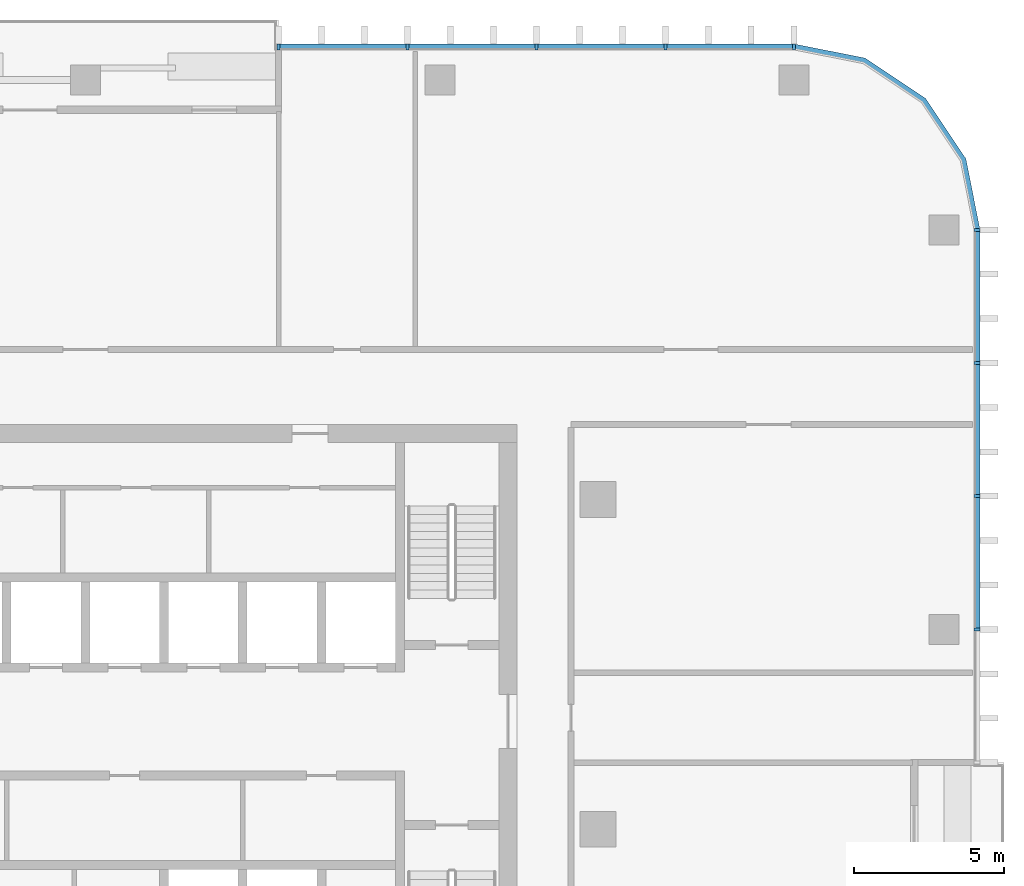
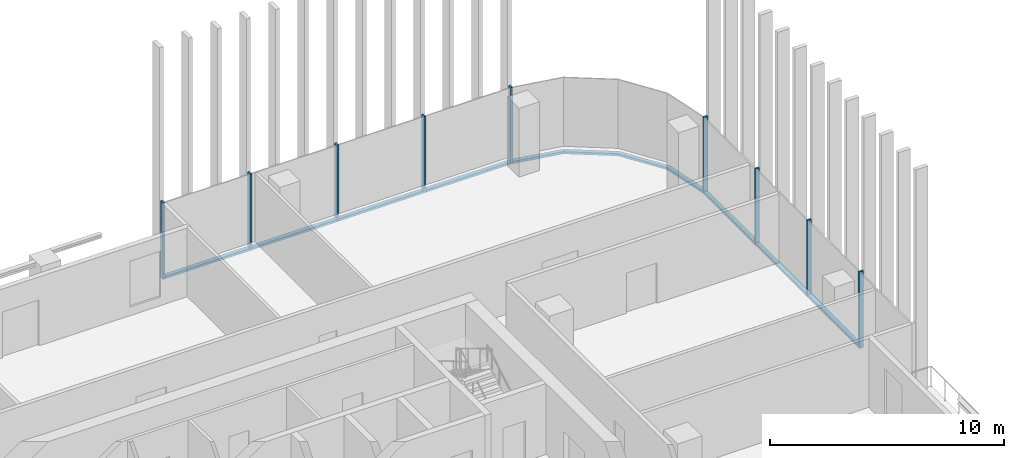
# One storey, part 5 of 16: 17 members, 3 elements without a shape of their own.
"""IFC4 building model written with IfcOpenShell, lengths in metres."""

from ifc_helpers import new_model, si_unit, direction, frame, origin, origin_2d, place, context, subcontext, project, spatial, polyline, rectangle, outline, extrude, material, material_profile, profile_set, type_object, element, aggregate, save


model = new_model("IFC4")

# Units and contexts
model_context = context("Model", 3, precision=1e-05, world=origin(), true_north=direction((0.0, 1.0)))
body_context = subcontext(model_context, "Body", "Model", "MODEL_VIEW")
ifc_project = project(units=[si_unit("LENGTHUNIT", "METRE"), si_unit("AREAUNIT", "SQUARE_METRE"), si_unit("VOLUMEUNIT", "CUBIC_METRE"), si_unit("PLANEANGLEUNIT", "RADIAN"), si_unit("MASSUNIT", "GRAM", prefix="KILO")], contexts=[model_context])

# Site, building, storey
site_placement = place(None, origin())
site = spatial("IfcSite", under=ifc_project, at=site_placement, CompositionType="ELEMENT")
building_placement = place(site_placement, origin())
building = spatial("IfcBuilding", under=site, at=building_placement, Name="Mopane Tessera Tower", CompositionType="ELEMENT")
storey_placement = place(building_placement, frame((0.0, 0.0, 279.39990234375)))
storey = spatial("IfcBuildingStorey", under=building, at=storey_placement, Name="L60", CompositionType="ELEMENT", Elevation=279.39990234375)

# Curtain wall, members
ifc_material_1 = material(Name="Aluminium frame", Category="aluminium")
curtain_wall_type = type_object("IfcCurtainWallType", Name="Unitised curtain wall", PredefinedType="NOTDEFINED", material=ifc_material_1)
curtain_wall_1_placement = place(storey_placement, origin())
curtain_wall_1 = element("IfcCurtainWall", 1, at=curtain_wall_1_placement, inside=storey, type_object=curtain_wall_type, Name="e:cw:L60:E:5", PredefinedType="NOTDEFINED")
ifc_material_2 = material(Name="Aluminium frame", Category="aluminium")
ifc_material_profile_1 = material_profile(ifc_material_2, rectangle(XDim=0.10009765625, YDim=0.199951171875, at=origin_2d()))
ifc_profile_set_1 = profile_set([ifc_material_profile_1], Name="Aluminium frame")
member_type_1 = type_object("IfcMemberType", Name="Aluminium mullion 100 x 200", PredefinedType="MULLION", material=ifc_profile_set_1)
member_1_placement = place(storey_placement, frame((29.75, 6.666748046875, -0.39990234375), z_axis=(0.0, 0.0, 1.0), x_axis=(0.0, 1.0, 0.0)))
member_1 = element("IfcMember", 2, at=member_1_placement, type_object=member_type_1, Name="e:cw:L60:E:5:mu6", PredefinedType="MULLION", context=body_context, shape_type="SweptSolid", body=[
    extrude(rectangle(XDim=0.10009765625, YDim=0.199951171875, at=origin_2d()), origin(), (0.0, 0.0, 1.0), 4.0),
])
member_2_placement = place(storey_placement, frame((29.75, 11.111083984375, -0.39990234375), z_axis=(0.0, 0.0, 1.0), x_axis=(0.0, 1.0, 0.0)))
member_2 = element("IfcMember", 3, at=member_2_placement, type_object=member_type_1, Name="e:cw:L60:E:5:mu7", PredefinedType="MULLION", context=body_context, shape_type="SweptSolid", body=[
    extrude(rectangle(XDim=0.10009765625, YDim=0.199951171875, at=origin_2d()), origin(), (0.0, 0.0, 1.0), 4.0),
])
member_3_placement = place(storey_placement, frame((29.75, 15.5556640625, -0.39990234375), z_axis=(0.0, 0.0, 1.0), x_axis=(0.0, 1.0, 0.0)))
member_3 = element("IfcMember", 4, at=member_3_placement, type_object=member_type_1, Name="e:cw:L60:E:5:mu8", PredefinedType="MULLION", context=body_context, shape_type="SweptSolid", body=[
    extrude(rectangle(XDim=0.10009765625, YDim=0.199951171875, at=origin_2d()), origin(), (0.0, 0.0, 1.0), 4.0),
])
member_4_placement = place(storey_placement, frame((29.75, 20.0, -0.39990234375), z_axis=(0.0, 0.0, 1.0), x_axis=(0.0, 1.0, 0.0)))
member_4 = element("IfcMember", 5, at=member_4_placement, type_object=member_type_1, Name="e:cw:L60:E:5:mu9", PredefinedType="MULLION", context=body_context, shape_type="SweptSolid", body=[
    extrude(rectangle(XDim=0.10009765625, YDim=0.199951171875, at=origin_2d()), origin(), (0.0, 0.0, 1.0), 4.0),
])

curtain_wall_2_placement = place(storey_placement, origin())
curtain_wall_2 = element("IfcCurtainWall", 6, at=curtain_wall_2_placement, inside=storey, type_object=curtain_wall_type, Name="e:cw:L60:N:0", PredefinedType="NOTDEFINED")
member_5_placement = place(storey_placement, frame((23.64990234375, 26.10009765625, -0.39990234375), z_axis=(0.0, 0.0, 1.0), x_axis=(-1.0, 0.0, 0.0)))
member_5 = element("IfcMember", 7, at=member_5_placement, type_object=member_type_1, Name="e:cw:L60:N:0:mu0", PredefinedType="MULLION", context=body_context, shape_type="SweptSolid", body=[
    extrude(rectangle(XDim=0.10009765625, YDim=0.199951171875, at=origin_2d()), origin(), (0.0, 0.0, 1.0), 4.0),
])
member_6_placement = place(storey_placement, frame((19.35009765625, 26.10009765625, -0.39990234375), z_axis=(0.0, 0.0, 1.0), x_axis=(-1.0, 0.0, 0.0)))
member_6 = element("IfcMember", 8, at=member_6_placement, type_object=member_type_1, Name="e:cw:L60:N:0:mu1", PredefinedType="MULLION", context=body_context, shape_type="SweptSolid", body=[
    extrude(rectangle(XDim=0.10009765625, YDim=0.199951171875, at=origin_2d()), origin(), (0.0, 0.0, 1.0), 4.0),
])
member_7_placement = place(storey_placement, frame((15.050048828125, 26.10009765625, -0.39990234375), z_axis=(0.0, 0.0, 1.0), x_axis=(-1.0, 0.0, 0.0)))
member_7 = element("IfcMember", 9, at=member_7_placement, type_object=member_type_1, Name="e:cw:L60:N:0:mu2", PredefinedType="MULLION", context=body_context, shape_type="SweptSolid", body=[
    extrude(rectangle(XDim=0.10009765625, YDim=0.199951171875, at=origin_2d()), origin(), (0.0, 0.0, 1.0), 4.0),
])
member_8_placement = place(storey_placement, frame((10.75, 26.10009765625, -0.39990234375), z_axis=(0.0, 0.0, 1.0), x_axis=(-1.0, 0.0, 0.0)))
member_8 = element("IfcMember", 10, at=member_8_placement, type_object=member_type_1, Name="e:cw:L60:N:0:mu3", PredefinedType="MULLION", context=body_context, shape_type="SweptSolid", body=[
    extrude(rectangle(XDim=0.10009765625, YDim=0.199951171875, at=origin_2d()), origin(), (0.0, 0.0, 1.0), 4.0),
])
member_9_placement = place(storey_placement, frame((6.449951171875, 26.10009765625, -0.39990234375), z_axis=(0.0, 0.0, 1.0), x_axis=(-1.0, 0.0, 0.0)))
member_9 = element("IfcMember", 11, at=member_9_placement, type_object=member_type_1, Name="e:cw:L60:N:0:mu4", PredefinedType="MULLION", context=body_context, shape_type="SweptSolid", body=[
    extrude(rectangle(XDim=0.10009765625, YDim=0.199951171875, at=origin_2d()), origin(), (0.0, 0.0, 1.0), 4.0),
])

# Member
ifc_material_3 = material(Name="Aluminium frame", Category="aluminium")
ifc_material_profile_2 = material_profile(ifc_material_3, rectangle(XDim=0.199951171875, YDim=0.1201171875, at=origin_2d()))
ifc_profile_set_2 = profile_set([ifc_material_profile_2], Name="Aluminium frame")
member_type_2 = type_object("IfcMemberType", Name="Aluminium transom 200 x 120", PredefinedType="USERDEFINED", material=ifc_profile_set_2)
member_10_placement = place(storey_placement, frame((29.75, 6.716552734375, -0.33984375), z_axis=(0.0, 1.0, 0.0), x_axis=(-1.0, 0.0, 0.0)))
member_10 = element("IfcMember", 12, at=member_10_placement, type_object=member_type_2, Name="e:cw:L60:E:5:tr6", ObjectType="TRANSOM", PredefinedType="USERDEFINED", context=body_context, shape_type="SweptSolid", body=[
    extrude(rectangle(XDim=0.199951171875, YDim=0.1201171875, at=origin_2d()), origin(), (0.0, 0.0, 1.0), 4.344482421875),
])

member_11_placement = place(storey_placement, frame((29.75, 11.1611328125, -0.33984375), z_axis=(0.0, 1.0, 0.0), x_axis=(-1.0, 0.0, 0.0)))
member_11 = element("IfcMember", 13, at=member_11_placement, type_object=member_type_2, Name="e:cw:L60:E:5:tr7", ObjectType="TRANSOM", PredefinedType="USERDEFINED", context=body_context, shape_type="SweptSolid", body=[
    extrude(rectangle(XDim=0.199951171875, YDim=0.1201171875, at=origin_2d()), origin(), (0.0, 0.0, 1.0), 4.344482421875),
])

member_12_placement = place(storey_placement, frame((29.75, 15.60546875, -0.33984375), z_axis=(0.0, 1.0, 0.0), x_axis=(-1.0, 0.0, 0.0)))
member_12 = element("IfcMember", 14, at=member_12_placement, type_object=member_type_2, Name="e:cw:L60:E:5:tr8", ObjectType="TRANSOM", PredefinedType="USERDEFINED", context=body_context, shape_type="SweptSolid", body=[
    extrude(rectangle(XDim=0.199951171875, YDim=0.1201171875, at=origin_2d()), origin(), (0.0, 0.0, 1.0), 4.344482421875),
])

aggregate(curtain_wall_1, [member_1, member_2, member_3, member_4, member_10, member_11, member_12])

# Curtain wall, member
curtain_wall_3_placement = place(storey_placement, origin())
curtain_wall_3 = element("IfcCurtainWall", 15, at=curtain_wall_3_placement, inside=storey, type_object=curtain_wall_type, Name="e:cw:L60:CE", PredefinedType="NOTDEFINED")
member_13_placement = place(storey_placement, frame((0.0, 0.0, -0.39990234375)))
member_13 = element("IfcMember", 16, at=member_13_placement, type_object=member_type_2, Name="e:cw:L60:CE:tr", ObjectType="TRANSOM", PredefinedType="USERDEFINED", context=body_context, shape_type="SweptSolid", body=[
    extrude(outline(polyline([(29.64990234375, 20.0), (29.193359375, 22.296142578125), (27.892578125, 24.24267578125), (25.946044921875, 25.543212890625), (23.64990234375, 26.0), (23.64990234375, 26.199951171875), (26.022705078125, 25.72802734375), (28.0341796875, 24.384033203125), (29.378173828125, 22.37255859375), (29.85009765625, 20.0), (29.64990234375, 20.0)])), origin(), (0.0, 0.0, 1.0), 0.1201171875),
])
aggregate(curtain_wall_3, [member_13])

# Member
member_14_placement = place(storey_placement, frame((23.60009765625, 26.10009765625, -0.33984375), z_axis=(-1.0, 0.0, 0.0), x_axis=(0.0, -1.0, 0.0)))
member_14 = element("IfcMember", 17, at=member_14_placement, type_object=member_type_2, Name="e:cw:L60:N:0:tr0", ObjectType="TRANSOM", PredefinedType="USERDEFINED", context=body_context, shape_type="SweptSolid", body=[
    extrude(rectangle(XDim=0.199951171875, YDim=0.1201171875, at=origin_2d()), origin(), (0.0, 0.0, 1.0), 4.2001953125),
])

member_15_placement = place(storey_placement, frame((19.300048828125, 26.10009765625, -0.33984375), z_axis=(-1.0, 0.0, 0.0), x_axis=(0.0, -1.0, 0.0)))
member_15 = element("IfcMember", 18, at=member_15_placement, type_object=member_type_2, Name="e:cw:L60:N:0:tr1", ObjectType="TRANSOM", PredefinedType="USERDEFINED", context=body_context, shape_type="SweptSolid", body=[
    extrude(rectangle(XDim=0.199951171875, YDim=0.1201171875, at=origin_2d()), origin(), (0.0, 0.0, 1.0), 4.199951171875),
])

member_16_placement = place(storey_placement, frame((15.0, 26.10009765625, -0.33984375), z_axis=(-1.0, 0.0, 0.0), x_axis=(0.0, -1.0, 0.0)))
member_16 = element("IfcMember", 19, at=member_16_placement, type_object=member_type_2, Name="e:cw:L60:N:0:tr2", ObjectType="TRANSOM", PredefinedType="USERDEFINED", context=body_context, shape_type="SweptSolid", body=[
    extrude(rectangle(XDim=0.199951171875, YDim=0.1201171875, at=origin_2d()), origin(), (0.0, 0.0, 1.0), 4.199951171875),
])

member_17_placement = place(storey_placement, frame((10.699951171875, 26.10009765625, -0.33984375), z_axis=(-1.0, 0.0, 0.0), x_axis=(0.0, -1.0, 0.0)))
member_17 = element("IfcMember", 20, at=member_17_placement, type_object=member_type_2, Name="e:cw:L60:N:0:tr3", ObjectType="TRANSOM", PredefinedType="USERDEFINED", context=body_context, shape_type="SweptSolid", body=[
    extrude(rectangle(XDim=0.199951171875, YDim=0.1201171875, at=origin_2d()), origin(), (0.0, 0.0, 1.0), 4.199951171875),
])

aggregate(curtain_wall_2, [member_5, member_6, member_7, member_8, member_9, member_14, member_15, member_16, member_17])

save(model, "model.ifc")
